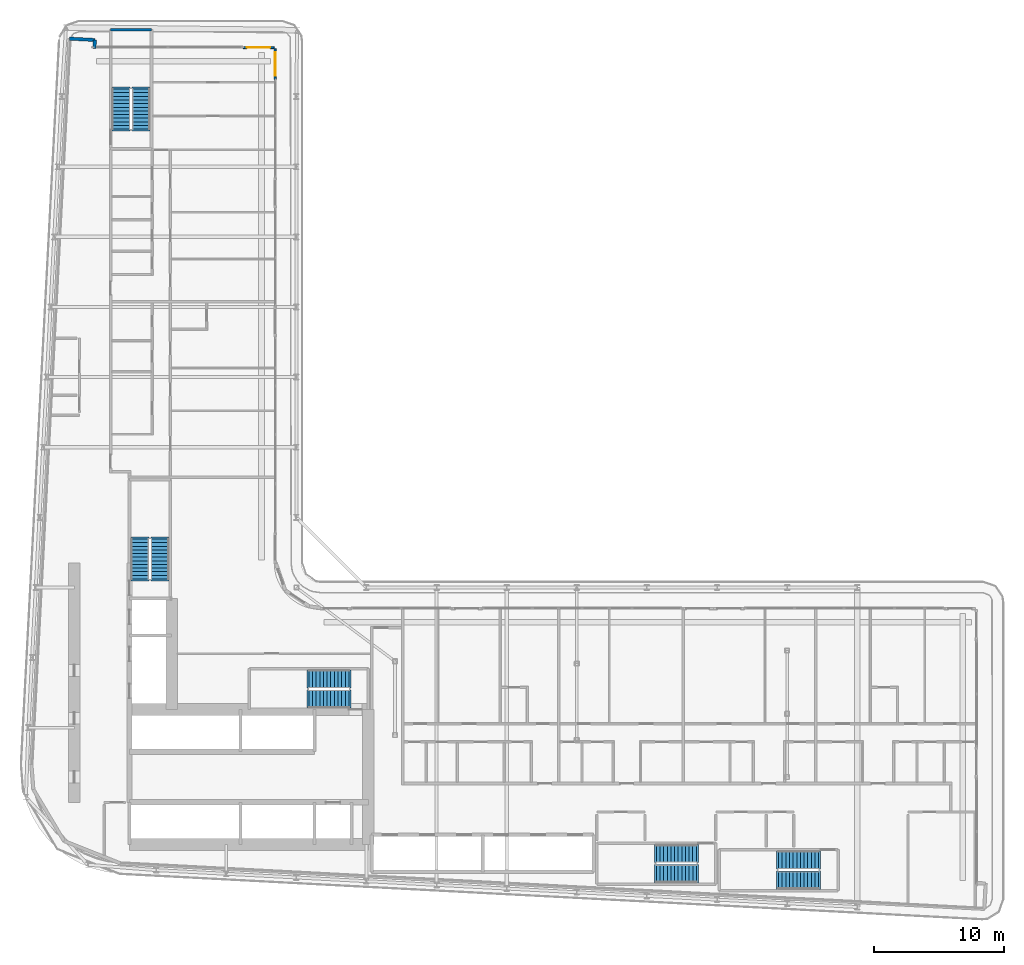
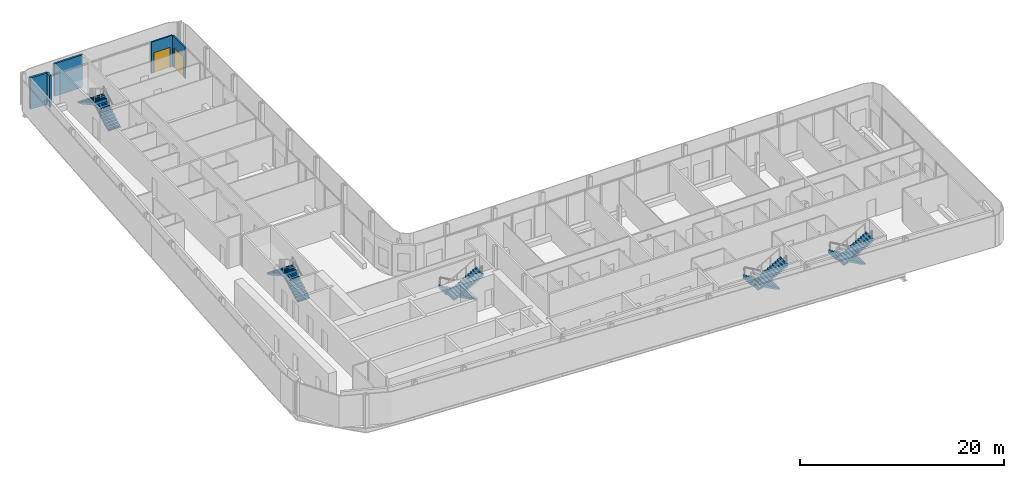
# One storey, part 20 of 27: 10 stair flights, 5 walls, 2 doors, 2 openings, 5 elements without a shape of their own.
"""IFC4 building model written with IfcOpenShell, lengths in metres."""

from ifc_helpers import new_model, si_unit, direction, frame, frame_2d, origin, place, context, subcontext, project, spatial, polyline, rectangle, outline, extrude, source, transform, mapped, material, layer, layer_set, type_object, element, fill, aggregate, save


model = new_model("IFC4")

# Units and contexts
model_context = context("Model", 3, precision=1e-05, world=origin(), true_north=direction((0.0, 1.0)))
body_context = subcontext(model_context, "Body", "Model", "MODEL_VIEW")
ifc_project = project(units=[si_unit("LENGTHUNIT", "METRE"), si_unit("AREAUNIT", "SQUARE_METRE"), si_unit("VOLUMEUNIT", "CUBIC_METRE"), si_unit("PLANEANGLEUNIT", "RADIAN"), si_unit("MASSUNIT", "GRAM", prefix="KILO")], contexts=[model_context])

# Site, building, storey
site_placement = place(None, origin())
site = spatial("IfcSite", under=ifc_project, at=site_placement, CompositionType="ELEMENT")
building_placement = place(site_placement, origin())
building = spatial("IfcBuilding", under=site, at=building_placement, Name="Kheshtan School and Residences Tower", CompositionType="ELEMENT")
storey_placement = place(building_placement, frame((0.0, 0.0, 101.89990234375)))
storey = spatial("IfcBuildingStorey", under=building, at=storey_placement, Name="L23", CompositionType="ELEMENT", Elevation=101.89990234375)

# Walls
ifc_material_1 = material(Name="Concrete C40/50 with ceramic cladding and mineral wool insulation", Category="concrete")
ifc_layer_1 = layer(ifc_material_1, 0.25)
ifc_layer_set_1 = layer_set([ifc_layer_1], Name="External wall 250 ceramic clad")
wall_type_1 = type_object("IfcWallType", Name="External wall 250 ceramic clad", PredefinedType="SOLIDWALL", material=ifc_layer_set_1)
wall_1_placement = place(storey_placement, frame((30.136962890625, 87.864013671875, 0.0), z_axis=(0.0, 0.0, 1.0), x_axis=(0.998577785791, -0.053314216913, 0.0)))
element("IfcWall", 1, at=wall_1_placement, inside=storey, type_object=wall_type_1, Name="External wall L23 1", PredefinedType="SOLIDWALL", context=body_context, shape_type="SweptSolid", body=[
    extrude(rectangle(XDim=1.95068359375, YDim=0.25, at=frame_2d((0.975341796875, 0.0))), origin(), (0.0, 0.0, 1.0), 3.75),
])
wall_2_placement = place(storey_placement, frame((32.0849609375, 87.760009765625, 0.0), z_axis=(0.0, 0.0, 1.0), x_axis=(-0.053729014033, -0.998555553312, 0.0)))
element("IfcWall", 2, at=wall_2_placement, inside=storey, type_object=wall_type_1, Name="External wall L23 2", PredefinedType="SOLIDWALL", context=body_context, shape_type="SweptSolid", body=[
    extrude(rectangle(XDim=0.66796875, YDim=0.25, at=frame_2d((0.333984375, 0.0))), origin(), (0.0, 0.0, 1.0), 3.75),
])

# Wall, opening, door
ifc_material_2 = material(Name="Aluminium frame wall with insulated infill", Category="aluminium")
ifc_layer_2 = layer(ifc_material_2, 0.14990234375)
ifc_layer_set_2 = layer_set([ifc_layer_2], Name="Glazing frame wall 150")
wall_type_2 = type_object("IfcWallType", Name="Glazing frame wall 150", PredefinedType="SOLIDWALL", material=ifc_layer_set_2)
wall_3_placement = place(storey_placement, frame((43.5, 87.175048828125, 0.0), z_axis=(0.0, 0.0, 1.0), x_axis=(1.0, 0.0, 0.0)))
wall_3 = element("IfcWall", 3, at=wall_3_placement, inside=storey, type_object=wall_type_2, Name="Balcony door wall L23 3.1", PredefinedType="SOLIDWALL", context=body_context, shape_type="SweptSolid", body=[
    extrude(rectangle(XDim=2.39990234375, YDim=0.14990234375, at=frame_2d((1.199951171875, 0.0))), origin(), (0.0, 0.0, 1.0), 3.75),
])
opening_1_placement = place(wall_3_placement, frame((0.300048828125, 0.0, 0.0)))
opening_1 = element("IfcOpeningElement", 4, at=opening_1_placement, cuts=wall_3, Name="Opening BD", PredefinedType="OPENING", context=body_context, shape_type="SweptSolid", body=[
    extrude(rectangle(XDim=1.800048828125, YDim=2.39990234375, at=frame_2d((0.89990234375, 1.199951171875))), frame((0.0, 0.0849609375, 0.0), z_axis=(0.0, -1.0, 0.0), x_axis=(1.0, 0.0, 0.0)), (0.0, 0.0, 1.0), 0.169921875),
])
ifc_material_3 = material(Name="Clear low-e glass in thermally broken aluminium frame", Category="aluminium")
door_type = type_object("IfcDoorType", Name="Balcony sliding door", OperationType="SLIDING_TO_LEFT", PredefinedType="DOOR", material=ifc_material_3)
shared_shape = source(origin(), body_context, "Body", "SweptSolid", [
    extrude(rectangle(XDim=1.800048828125, YDim=2.39990234375, at=frame_2d((0.89990234375, 1.199951171875))), frame((0.0, 0.02490234375, 0.0), z_axis=(0.0, -1.0, 0.0), x_axis=(1.0, 0.0, 0.0)), (0.0, 0.0, 1.0), 0.050048828125),
])
door_1_placement = place(opening_1_placement, origin())
door_1 = element("IfcDoor", 5, at=door_1_placement, inside=storey, type_object=door_type, Name="Balcony door L23 3.1", OperationType="SLIDING_TO_LEFT", OverallHeight=2.39990234375, OverallWidth=1.800048828125, PredefinedType="DOOR", context=body_context, shape_type="MappedRepresentation", body=[
    mapped(shared_shape, transform((0.0, 0.0, 0.0), x_axis=(1.0, 0.0, 0.0), y_axis=(0.0, 1.0, 0.0), z_axis=(0.0, 0.0, 1.0), scale=1.0)),
])
fill(opening_1, door_1)

wall_4_placement = place(storey_placement, frame((45.97509765625, 87.10009765625, 0.0), z_axis=(0.0, 0.0, 1.0), x_axis=(0.0, -1.0, 0.0)))
wall_4 = element("IfcWall", 6, at=wall_4_placement, inside=storey, type_object=wall_type_2, Name="Balcony door wall L23 4.1", PredefinedType="SOLIDWALL", context=body_context, shape_type="SweptSolid", body=[
    extrude(rectangle(XDim=2.400146484375, YDim=0.14990234375, at=frame_2d((1.2001953125, 0.0))), origin(), (0.0, 0.0, 1.0), 3.75),
])
opening_2_placement = place(wall_4_placement, frame((0.300048828125, 0.0, 0.0)))
opening_2 = element("IfcOpeningElement", 7, at=opening_2_placement, cuts=wall_4, Name="Opening BD", PredefinedType="OPENING", context=body_context, shape_type="SweptSolid", body=[
    extrude(rectangle(XDim=1.800048828125, YDim=2.39990234375, at=frame_2d((0.89990234375, 1.199951171875))), frame((0.0, 0.0849609375, 0.0), z_axis=(0.0, -1.0, 0.0), x_axis=(1.0, 0.0, 0.0)), (0.0, 0.0, 1.0), 0.169921875),
])
door_2_placement = place(opening_2_placement, origin())
door_2 = element("IfcDoor", 8, at=door_2_placement, inside=storey, type_object=door_type, Name="Balcony door L23 4.1", OperationType="SLIDING_TO_LEFT", OverallHeight=2.39990234375, OverallWidth=1.800048828125, PredefinedType="DOOR", context=body_context, shape_type="MappedRepresentation", body=[
    mapped(shared_shape, transform((0.0, 0.0, 0.0), x_axis=(1.0, 0.0, 0.0), y_axis=(0.0, 1.0, 0.0), z_axis=(0.0, 0.0, 1.0), scale=1.0)),
])
fill(opening_2, door_2)

# Wall
ifc_material_4 = material(Name="Concrete C40/50", Category="concrete")
ifc_layer_3 = layer(ifc_material_4, 0.199951171875)
ifc_layer_set_3 = layer_set([ifc_layer_3], Name="Stair enclosure wall 200 Concrete C40/50")
wall_type_3 = type_object("IfcWallType", Name="Stair enclosure wall 200 Concrete C40/50", PredefinedType="SHEAR", material=ifc_layer_set_3)
wall_5_placement = place(storey_placement, frame((33.300048828125, 88.56005859375, 0.0), z_axis=(0.0, 0.0, 1.0), x_axis=(1.0, 0.0, 0.0)))
element("IfcWall", 9, at=wall_5_placement, inside=storey, type_object=wall_type_3, Name="Stair enclosure wall ST3", PredefinedType="SHEAR", context=body_context, shape_type="SweptSolid", body=[
    extrude(rectangle(XDim=3.14990234375, YDim=0.199951171875, at=frame_2d((1.574951171875, 0.0))), origin(), (0.0, 0.0, 1.0), 3.900146484375),
])

# Stair, stair flights
stair_type = type_object("IfcStairType", Name="Exit stair, half-turn", PredefinedType="HALF_TURN_STAIR", material=ifc_material_4)
stair_1_placement = place(storey_placement, origin())
stair_1 = element("IfcStair", 10, at=stair_1_placement, inside=storey, type_object=stair_type, Name="L23 Protected Exit Stair ST1", PredefinedType="HALF_TURN_STAIR")
ifc_layer_4 = layer(ifc_material_4, 0.14990234375)
ifc_layer_set_4 = layer_set([ifc_layer_4], Name="Stair flight 1400 Concrete C40/50")
stair_flight_type = type_object("IfcStairFlightType", Name="Stair flight 1400 Concrete C40/50", PredefinedType="STRAIGHT", material=ifc_layer_set_4)
stair_flight_1_placement = place(storey_placement, frame((51.64990234375, 38.550048828125, 0.0), z_axis=(0.0, 0.0, 1.0), x_axis=(-1.0, 0.0, 0.0)))
stair_flight_1 = element("IfcStairFlight", 11, at=stair_flight_1_placement, type_object=stair_flight_type, Name="ST1 flight 1", NumberOfRisers=12, NumberOfTreads=11, PredefinedType="STRAIGHT", RiserHeight=0.1625, TreadLength=0.28, context=body_context, shape_type="SweptSolid", body=[
    extrude(outline(polyline([(-0.14990234375, -0.10009765625), (-0.14990234375, 0.0), (0.0, 0.0), (0.0, 0.16259765625), (0.280029296875, 0.16259765625), (0.280029296875, 0.324951171875), (0.56005859375, 0.324951171875), (0.56005859375, 0.487548828125), (0.840087890625, 0.487548828125), (0.840087890625, 0.64990234375), (1.1201171875, 0.64990234375), (1.1201171875, 0.8125), (1.39990234375, 0.8125), (1.39990234375, 0.97509765625), (1.679931640625, 0.97509765625), (1.679931640625, 1.137451171875), (1.9599609375, 1.137451171875), (1.9599609375, 1.300048828125), (2.239990234375, 1.300048828125), (2.239990234375, 1.46240234375), (2.52001953125, 1.46240234375), (2.52001953125, 1.625), (2.800048828125, 1.625), (2.800048828125, 1.78759765625), (3.080078125, 1.78759765625), (3.080078125, 1.949951171875), (3.080078125, 1.969970703125), (3.22998046875, 1.969970703125), (3.22998046875, 1.6142578125), (0.298583984375, 0.0), (-0.14990234375, -0.10009765625)])), frame((0.0, 0.699951171875, 0.0), z_axis=(0.0, -1.0, 0.0), x_axis=(1.0, 0.0, 0.0)), (0.0, 0.0, 1.0), 1.39990234375),
])
stair_flight_2_placement = place(storey_placement, frame((48.570068359375, 37.0, 1.9501953125), z_axis=(0.0, 0.0, 1.0), x_axis=(1.0, 0.0, 0.0)))
stair_flight_2 = element("IfcStairFlight", 12, at=stair_flight_2_placement, type_object=stair_flight_type, Name="ST1 flight 2", NumberOfRisers=12, NumberOfTreads=11, PredefinedType="STRAIGHT", RiserHeight=0.1625, TreadLength=0.28, context=body_context, shape_type="SweptSolid", body=[
    extrude(outline(polyline([(-0.14990234375, -0.10009765625), (-0.14990234375, 0.0), (0.0, 0.0), (0.0, 0.16259765625), (0.280029296875, 0.16259765625), (0.280029296875, 0.324951171875), (0.56005859375, 0.324951171875), (0.56005859375, 0.487548828125), (0.840087890625, 0.487548828125), (0.840087890625, 0.64990234375), (1.1201171875, 0.64990234375), (1.1201171875, 0.8125), (1.39990234375, 0.8125), (1.39990234375, 0.97509765625), (1.679931640625, 0.97509765625), (1.679931640625, 1.137451171875), (1.9599609375, 1.137451171875), (1.9599609375, 1.300048828125), (2.239990234375, 1.300048828125), (2.239990234375, 1.46240234375), (2.52001953125, 1.46240234375), (2.52001953125, 1.625), (2.800048828125, 1.625), (2.800048828125, 1.78759765625), (3.080078125, 1.78759765625), (3.080078125, 1.949951171875), (3.080078125, 1.969970703125), (3.22998046875, 1.969970703125), (3.22998046875, 1.6142578125), (0.298583984375, 0.0), (-0.14990234375, -0.10009765625)])), frame((0.0, 0.699951171875, 0.0), z_axis=(0.0, -1.0, 0.0), x_axis=(1.0, 0.0, 0.0)), (0.0, 0.0, 1.0), 1.39990234375),
])
aggregate(stair_1, [stair_flight_1, stair_flight_2])

stair_2_placement = place(storey_placement, origin())
stair_2 = element("IfcStair", 13, at=stair_2_placement, inside=storey, type_object=stair_type, Name="L23 Protected Exit Stair ST2", PredefinedType="HALF_TURN_STAIR")
stair_flight_3_placement = place(storey_placement, frame((37.10009765625, 46.25, 0.0), z_axis=(0.0, 0.0, 1.0), x_axis=(0.0, 1.0, 0.0)))
stair_flight_3 = element("IfcStairFlight", 14, at=stair_flight_3_placement, type_object=stair_flight_type, Name="ST2 flight 1", NumberOfRisers=12, NumberOfTreads=11, PredefinedType="STRAIGHT", RiserHeight=0.1625, TreadLength=0.28, context=body_context, shape_type="SweptSolid", body=[
    extrude(outline(polyline([(-0.14990234375, -0.10009765625), (-0.14990234375, 0.0), (0.0, 0.0), (0.0, 0.16259765625), (0.280029296875, 0.16259765625), (0.280029296875, 0.324951171875), (0.56005859375, 0.324951171875), (0.56005859375, 0.487548828125), (0.840087890625, 0.487548828125), (0.840087890625, 0.64990234375), (1.1201171875, 0.64990234375), (1.1201171875, 0.8125), (1.39990234375, 0.8125), (1.39990234375, 0.97509765625), (1.679931640625, 0.97509765625), (1.679931640625, 1.137451171875), (1.9599609375, 1.137451171875), (1.9599609375, 1.300048828125), (2.239990234375, 1.300048828125), (2.239990234375, 1.46240234375), (2.52001953125, 1.46240234375), (2.52001953125, 1.625), (2.800048828125, 1.625), (2.800048828125, 1.78759765625), (3.080078125, 1.78759765625), (3.080078125, 1.949951171875), (3.080078125, 1.969970703125), (3.22998046875, 1.969970703125), (3.22998046875, 1.6142578125), (0.298583984375, 0.0), (-0.14990234375, -0.10009765625)])), frame((0.0, 0.699951171875, 0.0), z_axis=(0.0, -1.0, 0.0), x_axis=(1.0, 0.0, 0.0)), (0.0, 0.0, 1.0), 1.39990234375),
])
stair_flight_4_placement = place(storey_placement, frame((35.550048828125, 49.330078125, 1.9501953125), z_axis=(0.0, 0.0, 1.0), x_axis=(0.0, -1.0, 0.0)))
stair_flight_4 = element("IfcStairFlight", 15, at=stair_flight_4_placement, type_object=stair_flight_type, Name="ST2 flight 2", NumberOfRisers=12, NumberOfTreads=11, PredefinedType="STRAIGHT", RiserHeight=0.1625, TreadLength=0.28, context=body_context, shape_type="SweptSolid", body=[
    extrude(outline(polyline([(-0.14990234375, -0.10009765625), (-0.14990234375, 0.0), (0.0, 0.0), (0.0, 0.16259765625), (0.280029296875, 0.16259765625), (0.280029296875, 0.324951171875), (0.56005859375, 0.324951171875), (0.56005859375, 0.487548828125), (0.840087890625, 0.487548828125), (0.840087890625, 0.64990234375), (1.1201171875, 0.64990234375), (1.1201171875, 0.8125), (1.39990234375, 0.8125), (1.39990234375, 0.97509765625), (1.679931640625, 0.97509765625), (1.679931640625, 1.137451171875), (1.9599609375, 1.137451171875), (1.9599609375, 1.300048828125), (2.239990234375, 1.300048828125), (2.239990234375, 1.46240234375), (2.52001953125, 1.46240234375), (2.52001953125, 1.625), (2.800048828125, 1.625), (2.800048828125, 1.78759765625), (3.080078125, 1.78759765625), (3.080078125, 1.949951171875), (3.080078125, 1.969970703125), (3.22998046875, 1.969970703125), (3.22998046875, 1.6142578125), (0.298583984375, 0.0), (-0.14990234375, -0.10009765625)])), frame((0.0, 0.699951171875, 0.0), z_axis=(0.0, -1.0, 0.0), x_axis=(1.0, 0.0, 0.0)), (0.0, 0.0, 1.0), 1.39990234375),
])
aggregate(stair_2, [stair_flight_3, stair_flight_4])

stair_3_placement = place(storey_placement, origin())
stair_3 = element("IfcStair", 16, at=stair_3_placement, inside=storey, type_object=stair_type, Name="L23 Protected Exit Stair ST3", PredefinedType="HALF_TURN_STAIR")
stair_flight_5_placement = place(storey_placement, frame((35.64990234375, 80.89990234375, 0.0), z_axis=(0.0, 0.0, 1.0), x_axis=(0.0, 1.0, 0.0)))
stair_flight_5 = element("IfcStairFlight", 17, at=stair_flight_5_placement, type_object=stair_flight_type, Name="ST3 flight 1", NumberOfRisers=12, NumberOfTreads=11, PredefinedType="STRAIGHT", RiserHeight=0.1625, TreadLength=0.28, context=body_context, shape_type="SweptSolid", body=[
    extrude(outline(polyline([(-0.14990234375, -0.10009765625), (-0.14990234375, 0.0), (0.0, 0.0), (0.0, 0.16259765625), (0.280029296875, 0.16259765625), (0.280029296875, 0.324951171875), (0.56005859375, 0.324951171875), (0.56005859375, 0.487548828125), (0.840087890625, 0.487548828125), (0.840087890625, 0.64990234375), (1.1201171875, 0.64990234375), (1.1201171875, 0.8125), (1.39990234375, 0.8125), (1.39990234375, 0.97509765625), (1.679931640625, 0.97509765625), (1.679931640625, 1.137451171875), (1.9599609375, 1.137451171875), (1.9599609375, 1.300048828125), (2.239990234375, 1.300048828125), (2.239990234375, 1.46240234375), (2.52001953125, 1.46240234375), (2.52001953125, 1.625), (2.800048828125, 1.625), (2.800048828125, 1.78759765625), (3.080078125, 1.78759765625), (3.080078125, 1.949951171875), (3.080078125, 1.969970703125), (3.22998046875, 1.969970703125), (3.22998046875, 1.6142578125), (0.298583984375, 0.0), (-0.14990234375, -0.10009765625)])), frame((0.0, 0.699951171875, 0.0), z_axis=(0.0, -1.0, 0.0), x_axis=(1.0, 0.0, 0.0)), (0.0, 0.0, 1.0), 1.39990234375),
])
stair_flight_6_placement = place(storey_placement, frame((34.10009765625, 83.97998046875, 1.9501953125), z_axis=(0.0, 0.0, 1.0), x_axis=(0.0, -1.0, 0.0)))
stair_flight_6 = element("IfcStairFlight", 18, at=stair_flight_6_placement, type_object=stair_flight_type, Name="ST3 flight 2", NumberOfRisers=12, NumberOfTreads=11, PredefinedType="STRAIGHT", RiserHeight=0.1625, TreadLength=0.28, context=body_context, shape_type="SweptSolid", body=[
    extrude(outline(polyline([(-0.14990234375, -0.10009765625), (-0.14990234375, 0.0), (0.0, 0.0), (0.0, 0.16259765625), (0.280029296875, 0.16259765625), (0.280029296875, 0.324951171875), (0.56005859375, 0.324951171875), (0.56005859375, 0.487548828125), (0.840087890625, 0.487548828125), (0.840087890625, 0.64990234375), (1.1201171875, 0.64990234375), (1.1201171875, 0.8125), (1.39990234375, 0.8125), (1.39990234375, 0.97509765625), (1.679931640625, 0.97509765625), (1.679931640625, 1.137451171875), (1.9599609375, 1.137451171875), (1.9599609375, 1.300048828125), (2.239990234375, 1.300048828125), (2.239990234375, 1.46240234375), (2.52001953125, 1.46240234375), (2.52001953125, 1.625), (2.800048828125, 1.625), (2.800048828125, 1.78759765625), (3.080078125, 1.78759765625), (3.080078125, 1.949951171875), (3.080078125, 1.969970703125), (3.22998046875, 1.969970703125), (3.22998046875, 1.6142578125), (0.298583984375, 0.0), (-0.14990234375, -0.10009765625)])), frame((0.0, 0.699951171875, 0.0), z_axis=(0.0, -1.0, 0.0), x_axis=(1.0, 0.0, 0.0)), (0.0, 0.0, 1.0), 1.39990234375),
])
aggregate(stair_3, [stair_flight_5, stair_flight_6])

stair_4_placement = place(storey_placement, origin())
stair_4 = element("IfcStair", 19, at=stair_4_placement, inside=storey, type_object=stair_type, Name="L23 Protected Exit Stair ST4", PredefinedType="HALF_TURN_STAIR")
stair_flight_7_placement = place(storey_placement, frame((87.820068359375, 24.60009765625, 0.0), z_axis=(0.0, 0.0, 1.0), x_axis=(-1.0, 0.0, 0.0)))
stair_flight_7 = element("IfcStairFlight", 20, at=stair_flight_7_placement, type_object=stair_flight_type, Name="ST4 flight 1", NumberOfRisers=12, NumberOfTreads=11, PredefinedType="STRAIGHT", RiserHeight=0.1625, TreadLength=0.28, context=body_context, shape_type="SweptSolid", body=[
    extrude(outline(polyline([(-0.14990234375, -0.10009765625), (-0.14990234375, 0.0), (0.0, 0.0), (0.0, 0.16259765625), (0.280029296875, 0.16259765625), (0.280029296875, 0.324951171875), (0.56005859375, 0.324951171875), (0.56005859375, 0.487548828125), (0.840087890625, 0.487548828125), (0.840087890625, 0.64990234375), (1.1201171875, 0.64990234375), (1.1201171875, 0.8125), (1.39990234375, 0.8125), (1.39990234375, 0.97509765625), (1.679931640625, 0.97509765625), (1.679931640625, 1.137451171875), (1.9599609375, 1.137451171875), (1.9599609375, 1.300048828125), (2.239990234375, 1.300048828125), (2.239990234375, 1.46240234375), (2.52001953125, 1.46240234375), (2.52001953125, 1.625), (2.800048828125, 1.625), (2.800048828125, 1.78759765625), (3.080078125, 1.78759765625), (3.080078125, 1.949951171875), (3.080078125, 1.969970703125), (3.22998046875, 1.969970703125), (3.22998046875, 1.6142578125), (0.298583984375, 0.0), (-0.14990234375, -0.10009765625)])), frame((0.0, 0.699951171875, 0.0), z_axis=(0.0, -1.0, 0.0), x_axis=(1.0, 0.0, 0.0)), (0.0, 0.0, 1.0), 1.39990234375),
])
stair_flight_8_placement = place(storey_placement, frame((84.739990234375, 23.050048828125, 1.9501953125), z_axis=(0.0, 0.0, 1.0), x_axis=(1.0, 0.0, 0.0)))
stair_flight_8 = element("IfcStairFlight", 21, at=stair_flight_8_placement, type_object=stair_flight_type, Name="ST4 flight 2", NumberOfRisers=12, NumberOfTreads=11, PredefinedType="STRAIGHT", RiserHeight=0.1625, TreadLength=0.28, context=body_context, shape_type="SweptSolid", body=[
    extrude(outline(polyline([(-0.14990234375, -0.10009765625), (-0.14990234375, 0.0), (0.0, 0.0), (0.0, 0.16259765625), (0.280029296875, 0.16259765625), (0.280029296875, 0.324951171875), (0.56005859375, 0.324951171875), (0.56005859375, 0.487548828125), (0.840087890625, 0.487548828125), (0.840087890625, 0.64990234375), (1.1201171875, 0.64990234375), (1.1201171875, 0.8125), (1.39990234375, 0.8125), (1.39990234375, 0.97509765625), (1.679931640625, 0.97509765625), (1.679931640625, 1.137451171875), (1.9599609375, 1.137451171875), (1.9599609375, 1.300048828125), (2.239990234375, 1.300048828125), (2.239990234375, 1.46240234375), (2.52001953125, 1.46240234375), (2.52001953125, 1.625), (2.800048828125, 1.625), (2.800048828125, 1.78759765625), (3.080078125, 1.78759765625), (3.080078125, 1.949951171875), (3.080078125, 1.969970703125), (3.22998046875, 1.969970703125), (3.22998046875, 1.6142578125), (0.298583984375, 0.0), (-0.14990234375, -0.10009765625)])), frame((0.0, 0.699951171875, 0.0), z_axis=(0.0, -1.0, 0.0), x_axis=(1.0, 0.0, 0.0)), (0.0, 0.0, 1.0), 1.39990234375),
])
aggregate(stair_4, [stair_flight_7, stair_flight_8])

stair_5_placement = place(storey_placement, origin())
stair_5 = element("IfcStair", 22, at=stair_5_placement, inside=storey, type_object=stair_type, Name="L23 Protected Exit Stair ST5", PredefinedType="HALF_TURN_STAIR")
stair_flight_9_placement = place(storey_placement, frame((78.409912109375, 25.10009765625, 0.0), z_axis=(0.0, 0.0, 1.0), x_axis=(-1.0, 0.0, 0.0)))
stair_flight_9 = element("IfcStairFlight", 23, at=stair_flight_9_placement, type_object=stair_flight_type, Name="ST5 flight 1", NumberOfRisers=12, NumberOfTreads=11, PredefinedType="STRAIGHT", RiserHeight=0.1625, TreadLength=0.28, context=body_context, shape_type="SweptSolid", body=[
    extrude(outline(polyline([(-0.14990234375, -0.10009765625), (-0.14990234375, 0.0), (0.0, 0.0), (0.0, 0.16259765625), (0.280029296875, 0.16259765625), (0.280029296875, 0.324951171875), (0.56005859375, 0.324951171875), (0.56005859375, 0.487548828125), (0.840087890625, 0.487548828125), (0.840087890625, 0.64990234375), (1.1201171875, 0.64990234375), (1.1201171875, 0.8125), (1.39990234375, 0.8125), (1.39990234375, 0.97509765625), (1.679931640625, 0.97509765625), (1.679931640625, 1.137451171875), (1.9599609375, 1.137451171875), (1.9599609375, 1.300048828125), (2.239990234375, 1.300048828125), (2.239990234375, 1.46240234375), (2.52001953125, 1.46240234375), (2.52001953125, 1.625), (2.800048828125, 1.625), (2.800048828125, 1.78759765625), (3.080078125, 1.78759765625), (3.080078125, 1.949951171875), (3.080078125, 1.969970703125), (3.22998046875, 1.969970703125), (3.22998046875, 1.6142578125), (0.298583984375, 0.0), (-0.14990234375, -0.10009765625)])), frame((0.0, 0.699951171875, 0.0), z_axis=(0.0, -1.0, 0.0), x_axis=(1.0, 0.0, 0.0)), (0.0, 0.0, 1.0), 1.39990234375),
])
stair_flight_10_placement = place(storey_placement, frame((75.330078125, 23.550048828125, 1.9501953125), z_axis=(0.0, 0.0, 1.0), x_axis=(1.0, 0.0, 0.0)))
stair_flight_10 = element("IfcStairFlight", 24, at=stair_flight_10_placement, type_object=stair_flight_type, Name="ST5 flight 2", NumberOfRisers=12, NumberOfTreads=11, PredefinedType="STRAIGHT", RiserHeight=0.1625, TreadLength=0.28, context=body_context, shape_type="SweptSolid", body=[
    extrude(outline(polyline([(-0.14990234375, -0.10009765625), (-0.14990234375, 0.0), (0.0, 0.0), (0.0, 0.16259765625), (0.280029296875, 0.16259765625), (0.280029296875, 0.324951171875), (0.56005859375, 0.324951171875), (0.56005859375, 0.487548828125), (0.840087890625, 0.487548828125), (0.840087890625, 0.64990234375), (1.1201171875, 0.64990234375), (1.1201171875, 0.8125), (1.39990234375, 0.8125), (1.39990234375, 0.97509765625), (1.679931640625, 0.97509765625), (1.679931640625, 1.137451171875), (1.9599609375, 1.137451171875), (1.9599609375, 1.300048828125), (2.239990234375, 1.300048828125), (2.239990234375, 1.46240234375), (2.52001953125, 1.46240234375), (2.52001953125, 1.625), (2.800048828125, 1.625), (2.800048828125, 1.78759765625), (3.080078125, 1.78759765625), (3.080078125, 1.949951171875), (3.080078125, 1.969970703125), (3.22998046875, 1.969970703125), (3.22998046875, 1.6142578125), (0.298583984375, 0.0), (-0.14990234375, -0.10009765625)])), frame((0.0, 0.699951171875, 0.0), z_axis=(0.0, -1.0, 0.0), x_axis=(1.0, 0.0, 0.0)), (0.0, 0.0, 1.0), 1.39990234375),
])
aggregate(stair_5, [stair_flight_9, stair_flight_10])

save(model, "model.ifc")
